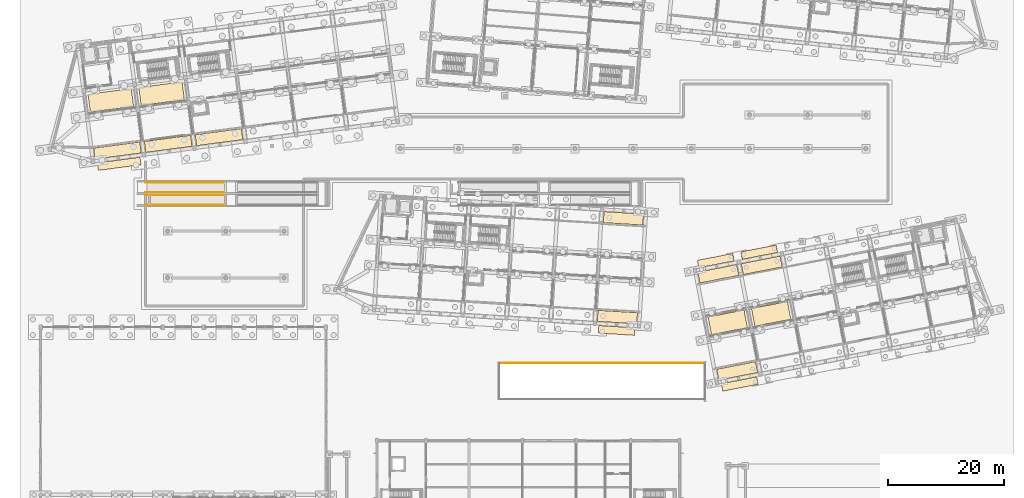
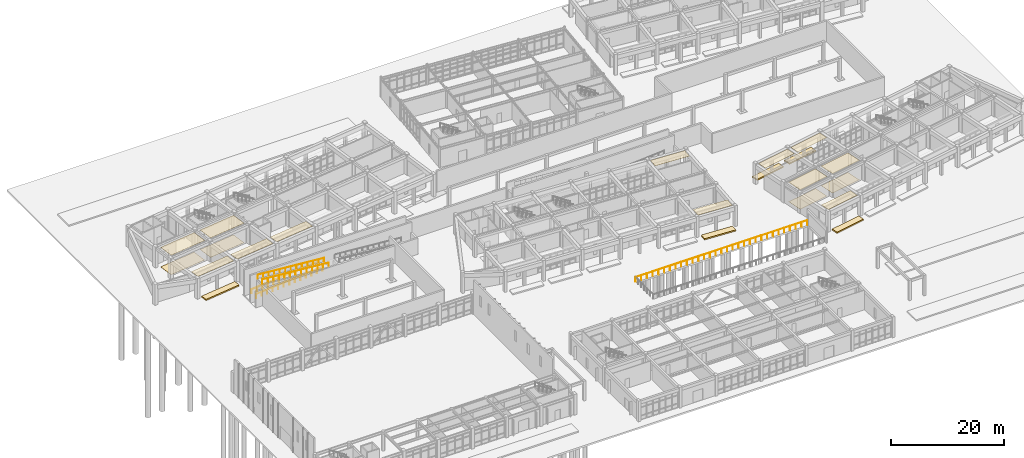
# One storey, part 145 of 154: 21 coverings, 5 railings.
"""IFC4 building model written with IfcOpenShell, lengths in metres."""

from ifc_helpers import new_model, si_unit, direction, frame, origin, origin_2d, place, context, subcontext, project, spatial, polyline, rectangle, circle, outline, extrude, material, layer, layer_set, type_object, element, save


model = new_model("IFC4")

# Units and contexts
model_context = context("Model", 3, precision=1e-05, world=origin(), true_north=direction((0.0, 1.0)))
body_context = subcontext(model_context, "Body", "Model", "MODEL_VIEW")
ifc_project = project(units=[si_unit("LENGTHUNIT", "METRE"), si_unit("AREAUNIT", "SQUARE_METRE"), si_unit("VOLUMEUNIT", "CUBIC_METRE"), si_unit("PLANEANGLEUNIT", "RADIAN"), si_unit("MASSUNIT", "GRAM", prefix="KILO")], contexts=[model_context])

# Site, building, storey
site_placement = place(None, origin())
site = spatial("IfcSite", under=ifc_project, at=site_placement, CompositionType="ELEMENT")
building_placement = place(site_placement, origin())
building = spatial("IfcBuilding", under=site, at=building_placement, Name="Kestramere Prow Commons", CompositionType="ELEMENT")
storey_placement = place(building_placement, origin())
storey = spatial("IfcBuildingStorey", under=building, at=storey_placement, Name="L00", CompositionType="ELEMENT", Elevation=0.0)

# Coverings
ifc_material_1 = material(Name="Mineral Fibre Acoustic Ceiling Tile")
ifc_layer_1 = layer(ifc_material_1, 0.02490234375)
ifc_layer_set_1 = layer_set([ifc_layer_1], Name="Mineral Fibre Acoustic Ceiling Tile")
covering_type_1 = type_object("IfcCoveringType", Name="COV-CEIL-ACOUSTIC", PredefinedType="CEILING", material=ifc_layer_set_1)
covering_1_placement = place(storey_placement, frame((0.0, 0.0, 4.22509765625)))
element("IfcCovering", 1, at=covering_1_placement, inside=storey, type_object=covering_type_1, Name="Block A L00 Corridor Acoustic Ceiling 1", PredefinedType="CEILING", context=body_context, shape_type="SweptSolid", body=[
    extrude(outline(polyline([(10.741455078125, 80.462646484375), (18.17724609375, 81.44140625), (17.772705078125, 84.514892578125), (10.3369140625, 83.5361328125), (10.741455078125, 80.462646484375)])), origin(), (0.0, 0.0, 1.0), 0.02490234375),
])
covering_2_placement = place(storey_placement, frame((0.0, 0.0, 4.22509765625)))
element("IfcCovering", 2, at=covering_2_placement, inside=storey, type_object=covering_type_1, Name="Block A L00 Corridor Acoustic Ceiling 2", PredefinedType="CEILING", context=body_context, shape_type="SweptSolid", body=[
    extrude(outline(polyline([(19.46630859375, 81.611083984375), (26.902099609375, 82.590087890625), (26.497314453125, 85.66357421875), (19.0615234375, 84.6845703125), (19.46630859375, 81.611083984375)])), origin(), (0.0, 0.0, 1.0), 0.02490234375),
])
covering_3_placement = place(storey_placement, frame((0.0, 0.0, 4.22509765625)))
element("IfcCovering", 3, at=covering_3_placement, inside=storey, type_object=covering_type_1, Name="Block D L00 Corridor Acoustic Ceiling 1", PredefinedType="CEILING", context=body_context, shape_type="SweptSolid", body=[
    extrude(outline(polyline([(117.4638671875, 42.222412109375), (123.648193359375, 43.424560546875), (123.056640625, 46.467529296875), (116.872314453125, 45.265380859375), (117.4638671875, 42.222412109375)])), origin(), (0.0, 0.0, 1.0), 0.02490234375),
])
covering_4_placement = place(storey_placement, frame((0.0, 0.0, 4.22509765625)))
element("IfcCovering", 4, at=covering_4_placement, inside=storey, type_object=covering_type_1, Name="Block D L00 Corridor Acoustic Ceiling 2", PredefinedType="CEILING", context=body_context, shape_type="SweptSolid", body=[
    extrude(outline(polyline([(124.92431640625, 43.672607421875), (131.1083984375, 44.874755859375), (130.51708984375, 47.917724609375), (124.332763671875, 46.715576171875), (124.92431640625, 43.672607421875)])), origin(), (0.0, 0.0, 1.0), 0.02490234375),
])
ifc_material_2 = material(Name="Honed Cementitious Terrazzo Tile")
ifc_layer_2 = layer(ifc_material_2, 0.02001953125)
ifc_layer_set_2 = layer_set([ifc_layer_2], Name="Honed Cementitious Terrazzo Tile")
covering_type_2 = type_object("IfcCoveringType", Name="COV-FLOOR-TERRAZZO", PredefinedType="FLOORING", material=ifc_layer_set_2)
covering_5_placement = place(storey_placement, origin())
element("IfcCovering", 5, at=covering_5_placement, inside=storey, type_object=covering_type_2, Name="Block A L00 Corridor Terrazzo Flooring 1", PredefinedType="FLOORING", context=body_context, shape_type="SweptSolid", body=[
    extrude(outline(polyline([(10.741455078125, 80.462646484375), (18.17724609375, 81.44140625), (17.772705078125, 84.514892578125), (10.3369140625, 83.5361328125), (10.741455078125, 80.462646484375)])), origin(), (0.0, 0.0, 1.0), 0.02001953125),
])
covering_6_placement = place(storey_placement, origin())
element("IfcCovering", 6, at=covering_6_placement, inside=storey, type_object=covering_type_2, Name="Block A L00 Corridor Terrazzo Flooring 2", PredefinedType="FLOORING", context=body_context, shape_type="SweptSolid", body=[
    extrude(outline(polyline([(19.46630859375, 81.611083984375), (26.902099609375, 82.590087890625), (26.497314453125, 85.66357421875), (19.0615234375, 84.6845703125), (19.46630859375, 81.611083984375)])), origin(), (0.0, 0.0, 1.0), 0.02001953125),
])
covering_7_placement = place(storey_placement, origin())
element("IfcCovering", 7, at=covering_7_placement, inside=storey, type_object=covering_type_2, Name="Block D L00 Corridor Terrazzo Flooring 1", PredefinedType="FLOORING", context=body_context, shape_type="SweptSolid", body=[
    extrude(outline(polyline([(117.4638671875, 42.222412109375), (123.648193359375, 43.424560546875), (123.056640625, 46.467529296875), (116.872314453125, 45.265380859375), (117.4638671875, 42.222412109375)])), origin(), (0.0, 0.0, 1.0), 0.02001953125),
])
covering_8_placement = place(storey_placement, origin())
element("IfcCovering", 8, at=covering_8_placement, inside=storey, type_object=covering_type_2, Name="Block D L00 Corridor Terrazzo Flooring 2", PredefinedType="FLOORING", context=body_context, shape_type="SweptSolid", body=[
    extrude(outline(polyline([(124.92431640625, 43.672607421875), (131.1083984375, 44.874755859375), (130.51708984375, 47.917724609375), (124.332763671875, 46.715576171875), (124.92431640625, 43.672607421875)])), origin(), (0.0, 0.0, 1.0), 0.02001953125),
])
ifc_material_3 = material(Name="Planted Tropical Rain-Garden Soil and Foliage")
ifc_layer_3 = layer(ifc_material_3, 0.280029296875)
ifc_layer_set_3 = layer_set([ifc_layer_3], Name="Planted Tropical Rain-Garden Soil and Foliage")
covering_type_3 = type_object("IfcCoveringType", Name="COV-PLANT-STRIP", PredefinedType="USERDEFINED", material=ifc_layer_set_3)
covering_9_placement = place(storey_placement, origin())
element("IfcCovering", 9, at=covering_9_placement, inside=storey, type_object=covering_type_3, Name="Street Setback Planted Landscape Strip PLST-A-S-0", ObjectType="PLANTED STRIP", PredefinedType="USERDEFINED", context=body_context, shape_type="SweptSolid", body=[
    extrude(outline(polyline([(11.939697265625, 71.744384765625), (19.2763671875, 72.710205078125), (19.446044921875, 71.42138671875), (12.109375, 70.45556640625), (11.939697265625, 71.744384765625)])), origin(), (0.0, 0.0, 1.0), 0.280029296875),
])
covering_10_placement = place(storey_placement, origin())
element("IfcCovering", 10, at=covering_10_placement, inside=storey, type_object=covering_type_3, Name="Street Setback Planted Landscape Strip PLST-C-S-5", ObjectType="PLANTED STRIP", PredefinedType="USERDEFINED", context=body_context, shape_type="SweptSolid", body=[
    extrude(outline(polyline([(98.1064453125, 43.7880859375), (104.294921875, 43.40966796875), (104.215576171875, 42.112060546875), (98.027099609375, 42.490478515625), (98.1064453125, 43.7880859375)])), origin(), (0.0, 0.0, 1.0), 0.280029296875),
])
covering_11_placement = place(storey_placement, origin())
element("IfcCovering", 11, at=covering_11_placement, inside=storey, type_object=covering_type_3, Name="Street Setback Planted Landscape Strip PLST-D-S-0", ObjectType="PLANTED STRIP", PredefinedType="USERDEFINED", context=body_context, shape_type="SweptSolid", body=[
    extrude(outline(polyline([(119.15380859375, 33.7900390625), (125.239990234375, 34.972900390625), (125.488037109375, 33.697021484375), (119.402099609375, 32.513916015625), (119.15380859375, 33.7900390625)])), origin(), (0.0, 0.0, 1.0), 0.280029296875),
])
covering_12_placement = place(storey_placement, origin())
element("IfcCovering", 12, at=covering_12_placement, inside=storey, type_object=covering_type_3, Name="Street Setback Planted Landscape Strip PLST-D-N-0", ObjectType="PLANTED STRIP", PredefinedType="USERDEFINED", context=body_context, shape_type="SweptSolid", body=[
    extrude(outline(polyline([(115.032470703125, 54.9931640625), (121.118408203125, 56.17626953125), (121.36669921875, 54.89990234375), (115.280517578125, 53.717041015625), (115.032470703125, 54.9931640625)])), origin(), (0.0, 0.0, 1.0), 0.280029296875),
])
covering_13_placement = place(storey_placement, origin())
element("IfcCovering", 13, at=covering_13_placement, inside=storey, type_object=covering_type_3, Name="Street Setback Planted Landscape Strip PLST-D-N-1", ObjectType="PLANTED STRIP", PredefinedType="USERDEFINED", context=body_context, shape_type="SweptSolid", body=[
    extrude(outline(polyline([(122.492919921875, 56.443359375), (128.578857421875, 57.626220703125), (128.826904296875, 56.35009765625), (122.740966796875, 55.167236328125), (122.492919921875, 56.443359375)])), origin(), (0.0, 0.0, 1.0), 0.280029296875),
])
ifc_material_4 = material(Name="Perforated Aluminium Colonnade Soffit Cladding", Category="aluminium")
ifc_layer_4 = layer(ifc_material_4, 0.030029296875)
ifc_layer_set_4 = layer_set([ifc_layer_4], Name="Perforated Aluminium Colonnade Soffit Cladding")
covering_type_4 = type_object("IfcCoveringType", Name="COV-SOFFIT-ALU", PredefinedType="CLADDING", material=ifc_layer_set_4)
for number, where, z_axis, x_axis, name in (
    (14, (15.392578125, 73.86328125, 4.22021484375), (0.0, 0.0, 1.0), (0.991444861374, 0.13052619222, 0.0), "Block A South Colonnade Soffit Panel 1"),
    (15, (24.117431640625, 75.01171875, 4.22021484375), (0.0, 0.0, 1.0), (0.991444861374, 0.13052619222, 0.0), "Block A South Colonnade Soffit Panel 2"),
    (16, (32.842041015625, 76.160400390625, 4.22021484375), (0.0, 0.0, 1.0), (0.991444861374, 0.13052619222, 0.0), "Block A South Colonnade Soffit Panel 3"),
):
    element("IfcCovering", number, at=place(storey_placement, frame(where, z_axis=z_axis, x_axis=x_axis)), inside=storey, type_object=covering_type_4, Name=name, PredefinedType="CLADDING", context=body_context, shape_type="SweptSolid", body=[
        extrude(rectangle(XDim=8.0, YDim=1.89990234375, at=origin_2d()), origin(), (0.0, 0.0, 1.0), 0.030029296875),
    ])
for number, where, z_axis, x_axis, name in (
    (17, (101.301513671875, 45.245849609375, 4.22021484375), (0.0, 0.0, 1.0), (0.998134798422, -0.061048539535, 0.0), "Block C South Colonnade Soffit Panel 6"),
    (18, (102.339111328125, 62.214111328125, 4.22021484375), (0.0, 0.0, 1.0), (0.998134798422, -0.061048539535, 0.0), "Block C North Colonnade Soffit Panel 6"),
    (19, (121.882080078125, 36.001220703125, 4.22021484375), (0.0, 0.0, 1.0), (0.981627183448, 0.190808995377, 0.0), "Block D South Colonnade Soffit Panel 1"),
    (20, (118.638427734375, 52.68896484375, 4.22021484375), (0.0, 0.0, 1.0), (0.981627183448, 0.190808995377, 0.0), "Block D North Colonnade Soffit Panel 1"),
    (21, (126.0986328125, 54.138916015625, 4.22021484375), (0.0, 0.0, 1.0), (0.981627183448, 0.190808995377, 0.0), "Block D North Colonnade Soffit Panel 2"),
):
    element("IfcCovering", number, at=place(storey_placement, frame(where, z_axis=z_axis, x_axis=x_axis)), inside=storey, type_object=covering_type_4, Name=name, PredefinedType="CLADDING", context=body_context, shape_type="SweptSolid", body=[
        extrude(rectangle(XDim=6.800048828125, YDim=1.89990234375, at=origin_2d()), origin(), (0.0, 0.0, 1.0), 0.030029296875),
    ])

# Railings
ifc_material_5 = material(Name="Powder-Coated Aluminium 6063-T6", Category="aluminium")
railing_type_1 = type_object("IfcRailingType", Name="GRD-BALC-1100", PredefinedType="BALUSTRADE", material=ifc_material_5)
railing_1_placement = place(storey_placement, frame((80.949951171875, 37.360107421875, 0.0)))
element("IfcRailing", 22, at=railing_1_placement, inside=storey, type_object=railing_type_1, Name="Car Park Ramp Void North Guardrail", PredefinedType="BALUSTRADE", context=body_context, shape_type="SweptSolid", body=[
    extrude(circle(Radius=0.02392578125, at=origin_2d()), frame((0.0, 0.0, 1.076171875), z_axis=(1.0, 0.0, 0.0), x_axis=(0.0, 1.0, 0.0)), (0.0, 0.0, 1.0), 35.150146484375),
    extrude(circle(Radius=0.02099609375, at=origin_2d()), origin(), (0.0, 0.0, 1.0), 1.052001953125),
    extrude(circle(Radius=0.02099609375, at=origin_2d()), frame((1.171630859375, 0.0, 0.0)), (0.0, 0.0, 1.0), 1.052001953125),
    extrude(circle(Radius=0.02099609375, at=origin_2d()), frame((2.34326171875, 0.0, 0.0)), (0.0, 0.0, 1.0), 1.052001953125),
    extrude(circle(Radius=0.02099609375, at=origin_2d()), frame((3.51513671875, 0.0, 0.0)), (0.0, 0.0, 1.0), 1.052001953125),
    extrude(circle(Radius=0.02099609375, at=origin_2d()), frame((4.686767578125, 0.0, 0.0)), (0.0, 0.0, 1.0), 1.052001953125),
    extrude(circle(Radius=0.02099609375, at=origin_2d()), frame((5.8583984375, 0.0, 0.0)), (0.0, 0.0, 1.0), 1.052001953125),
    extrude(circle(Radius=0.02099609375, at=origin_2d()), frame((7.030029296875, 0.0, 0.0)), (0.0, 0.0, 1.0), 1.052001953125),
    extrude(circle(Radius=0.02099609375, at=origin_2d()), frame((8.20166015625, 0.0, 0.0)), (0.0, 0.0, 1.0), 1.052001953125),
    extrude(circle(Radius=0.02099609375, at=origin_2d()), frame((9.373291015625, 0.0, 0.0)), (0.0, 0.0, 1.0), 1.052001953125),
    extrude(circle(Radius=0.02099609375, at=origin_2d()), frame((10.544921875, 0.0, 0.0)), (0.0, 0.0, 1.0), 1.052001953125),
    extrude(circle(Radius=0.02099609375, at=origin_2d()), frame((11.716796875, 0.0, 0.0)), (0.0, 0.0, 1.0), 1.052001953125),
    extrude(circle(Radius=0.02099609375, at=origin_2d()), frame((12.888427734375, 0.0, 0.0)), (0.0, 0.0, 1.0), 1.052001953125),
    extrude(circle(Radius=0.02099609375, at=origin_2d()), frame((14.06005859375, 0.0, 0.0)), (0.0, 0.0, 1.0), 1.052001953125),
    extrude(circle(Radius=0.02099609375, at=origin_2d()), frame((15.231689453125, 0.0, 0.0)), (0.0, 0.0, 1.0), 1.052001953125),
    extrude(circle(Radius=0.02099609375, at=origin_2d()), frame((16.4033203125, 0.0, 0.0)), (0.0, 0.0, 1.0), 1.052001953125),
    extrude(circle(Radius=0.02099609375, at=origin_2d()), frame((17.5751953125, 0.0, 0.0)), (0.0, 0.0, 1.0), 1.052001953125),
    extrude(circle(Radius=0.02099609375, at=origin_2d()), frame((18.746826171875, 0.0, 0.0)), (0.0, 0.0, 1.0), 1.052001953125),
    extrude(circle(Radius=0.02099609375, at=origin_2d()), frame((19.91845703125, 0.0, 0.0)), (0.0, 0.0, 1.0), 1.052001953125),
    extrude(circle(Radius=0.02099609375, at=origin_2d()), frame((21.090087890625, 0.0, 0.0)), (0.0, 0.0, 1.0), 1.052001953125),
    extrude(circle(Radius=0.02099609375, at=origin_2d()), frame((22.26171875, 0.0, 0.0)), (0.0, 0.0, 1.0), 1.052001953125),
    extrude(circle(Radius=0.02099609375, at=origin_2d()), frame((23.433349609375, 0.0, 0.0)), (0.0, 0.0, 1.0), 1.052001953125),
    extrude(circle(Radius=0.02099609375, at=origin_2d()), frame((24.60498046875, 0.0, 0.0)), (0.0, 0.0, 1.0), 1.052001953125),
    extrude(circle(Radius=0.02099609375, at=origin_2d()), frame((25.77685546875, 0.0, 0.0)), (0.0, 0.0, 1.0), 1.052001953125),
    extrude(circle(Radius=0.02099609375, at=origin_2d()), frame((26.948486328125, 0.0, 0.0)), (0.0, 0.0, 1.0), 1.052001953125),
    extrude(circle(Radius=0.02099609375, at=origin_2d()), frame((28.1201171875, 0.0, 0.0)), (0.0, 0.0, 1.0), 1.052001953125),
    extrude(circle(Radius=0.02099609375, at=origin_2d()), frame((29.291748046875, 0.0, 0.0)), (0.0, 0.0, 1.0), 1.052001953125),
    extrude(circle(Radius=0.02099609375, at=origin_2d()), frame((30.46337890625, 0.0, 0.0)), (0.0, 0.0, 1.0), 1.052001953125),
    extrude(circle(Radius=0.02099609375, at=origin_2d()), frame((31.63525390625, 0.0, 0.0)), (0.0, 0.0, 1.0), 1.052001953125),
    extrude(circle(Radius=0.02099609375, at=origin_2d()), frame((32.806884765625, 0.0, 0.0)), (0.0, 0.0, 1.0), 1.052001953125),
    extrude(circle(Radius=0.02099609375, at=origin_2d()), frame((33.978515625, 0.0, 0.0)), (0.0, 0.0, 1.0), 1.052001953125),
    extrude(circle(Radius=0.02099609375, at=origin_2d()), frame((35.150146484375, 0.0, 0.0)), (0.0, 0.0, 1.0), 1.052001953125),
])
ifc_material_6 = material(Name="Stainless Steel Grade 316", Category="steel")
railing_type_2 = type_object("IfcRailingType", Name="HR-EXT-900", PredefinedType="HANDRAIL", material=ifc_material_6)
railing_2_placement = place(storey_placement, frame((20.199951171875, 66.7099609375, 0.0)))
element("IfcRailing", 23, at=railing_2_placement, inside=storey, type_object=railing_type_2, Name="Ramp R2 Lower Handrail L", PredefinedType="HANDRAIL", context=body_context, shape_type="SweptSolid", body=[
    extrude(circle(Radius=0.02392578125, at=origin_2d()), frame((0.0, 0.0, 0.8759765625), z_axis=(0.99659615968, 0.0, 0.082438428604), x_axis=(0.0, 1.0, 0.0)), (0.0, 0.0, 1.0), 13.646484375),
    extrude(circle(Radius=0.02099609375, at=origin_2d()), origin(), (0.0, 0.0, 1.0), 0.851806640625),
    extrude(circle(Radius=0.02099609375, at=origin_2d()), frame((1.13330078125, 0.0, 0.09375)), (0.0, 0.0, 1.0), 0.851806640625),
    extrude(circle(Radius=0.02099609375, at=origin_2d()), frame((2.2666015625, 0.0, 0.1875)), (0.0, 0.0, 1.0), 0.851806640625),
    extrude(circle(Radius=0.02099609375, at=origin_2d()), frame((3.39990234375, 0.0, 0.28125)), (0.0, 0.0, 1.0), 0.851806640625),
    extrude(circle(Radius=0.02099609375, at=origin_2d()), frame((4.533447265625, 0.0, 0.375)), (0.0, 0.0, 1.0), 0.851806640625),
    extrude(circle(Radius=0.02099609375, at=origin_2d()), frame((5.666748046875, 0.0, 0.46875)), (0.0, 0.0, 1.0), 0.851806640625),
    extrude(circle(Radius=0.02099609375, at=origin_2d()), frame((6.800048828125, 0.0, 0.5625)), (0.0, 0.0, 1.0), 0.851806640625),
    extrude(circle(Radius=0.02099609375, at=origin_2d()), frame((7.933349609375, 0.0, 0.65625)), (0.0, 0.0, 1.0), 0.851806640625),
    extrude(circle(Radius=0.02099609375, at=origin_2d()), frame((9.066650390625, 0.0, 0.75)), (0.0, 0.0, 1.0), 0.851806640625),
    extrude(circle(Radius=0.02099609375, at=origin_2d()), frame((10.2001953125, 0.0, 0.84375)), (0.0, 0.0, 1.0), 0.851806640625),
    extrude(circle(Radius=0.02099609375, at=origin_2d()), frame((11.33349609375, 0.0, 0.9375)), (0.0, 0.0, 1.0), 0.851806640625),
    extrude(circle(Radius=0.02099609375, at=origin_2d()), frame((12.466796875, 0.0, 1.03125)), (0.0, 0.0, 1.0), 0.851806640625),
    extrude(circle(Radius=0.02099609375, at=origin_2d()), frame((13.60009765625, 0.0, 1.125)), (0.0, 0.0, 1.0), 0.851806640625),
])
railing_3_placement = place(storey_placement, frame((33.800048828125, 64.510009765625, 3.375)))
element("IfcRailing", 24, at=railing_3_placement, inside=storey, type_object=railing_type_2, Name="Ramp R3 Upper Handrail L", PredefinedType="HANDRAIL", context=body_context, shape_type="SweptSolid", body=[
    extrude(circle(Radius=0.02392578125, at=origin_2d()), frame((0.0, 0.0, 0.8759765625), z_axis=(-0.99659615968, 0.0, 0.082438428604), x_axis=(0.0, -1.0, 0.0)), (0.0, 0.0, 1.0), 13.646484375),
    extrude(circle(Radius=0.02099609375, at=origin_2d()), origin(), (0.0, 0.0, 1.0), 0.851806640625),
    extrude(circle(Radius=0.02099609375, at=origin_2d()), frame((-1.13330078125, 0.0, 0.09375)), (0.0, 0.0, 1.0), 0.851806640625),
    extrude(circle(Radius=0.02099609375, at=origin_2d()), frame((-2.2666015625, 0.0, 0.1875)), (0.0, 0.0, 1.0), 0.851806640625),
    extrude(circle(Radius=0.02099609375, at=origin_2d()), frame((-3.39990234375, 0.0, 0.28125)), (0.0, 0.0, 1.0), 0.851806640625),
    extrude(circle(Radius=0.02099609375, at=origin_2d()), frame((-4.533447265625, 0.0, 0.375)), (0.0, 0.0, 1.0), 0.851806640625),
    extrude(circle(Radius=0.02099609375, at=origin_2d()), frame((-5.666748046875, 0.0, 0.46875)), (0.0, 0.0, 1.0), 0.851806640625),
    extrude(circle(Radius=0.02099609375, at=origin_2d()), frame((-6.800048828125, 0.0, 0.5625)), (0.0, 0.0, 1.0), 0.851806640625),
    extrude(circle(Radius=0.02099609375, at=origin_2d()), frame((-7.933349609375, 0.0, 0.65625)), (0.0, 0.0, 1.0), 0.851806640625),
    extrude(circle(Radius=0.02099609375, at=origin_2d()), frame((-9.066650390625, 0.0, 0.75)), (0.0, 0.0, 1.0), 0.851806640625),
    extrude(circle(Radius=0.02099609375, at=origin_2d()), frame((-10.2001953125, 0.0, 0.84375)), (0.0, 0.0, 1.0), 0.851806640625),
    extrude(circle(Radius=0.02099609375, at=origin_2d()), frame((-11.33349609375, 0.0, 0.9375)), (0.0, 0.0, 1.0), 0.851806640625),
    extrude(circle(Radius=0.02099609375, at=origin_2d()), frame((-12.466796875, 0.0, 1.03125)), (0.0, 0.0, 1.0), 0.851806640625),
    extrude(circle(Radius=0.02099609375, at=origin_2d()), frame((-13.60009765625, 0.0, 1.125)), (0.0, 0.0, 1.0), 0.851806640625),
])
railing_4_placement = place(storey_placement, frame((20.199951171875, 68.389892578125, 0.0)))
element("IfcRailing", 25, at=railing_4_placement, inside=storey, type_object=railing_type_2, Name="Ramp R2 Lower Handrail R", PredefinedType="HANDRAIL", context=body_context, shape_type="SweptSolid", body=[
    extrude(circle(Radius=0.02392578125, at=origin_2d()), frame((0.0, 0.0, 0.8759765625), z_axis=(0.99659615968, 0.0, 0.082438428604), x_axis=(0.0, 1.0, 0.0)), (0.0, 0.0, 1.0), 13.646484375),
    extrude(circle(Radius=0.02099609375, at=origin_2d()), origin(), (0.0, 0.0, 1.0), 0.851806640625),
    extrude(circle(Radius=0.02099609375, at=origin_2d()), frame((1.13330078125, 0.0, 0.09375)), (0.0, 0.0, 1.0), 0.851806640625),
    extrude(circle(Radius=0.02099609375, at=origin_2d()), frame((2.2666015625, 0.0, 0.1875)), (0.0, 0.0, 1.0), 0.851806640625),
    extrude(circle(Radius=0.02099609375, at=origin_2d()), frame((3.39990234375, 0.0, 0.28125)), (0.0, 0.0, 1.0), 0.851806640625),
    extrude(circle(Radius=0.02099609375, at=origin_2d()), frame((4.533447265625, 0.0, 0.375)), (0.0, 0.0, 1.0), 0.851806640625),
    extrude(circle(Radius=0.02099609375, at=origin_2d()), frame((5.666748046875, 0.0, 0.46875)), (0.0, 0.0, 1.0), 0.851806640625),
    extrude(circle(Radius=0.02099609375, at=origin_2d()), frame((6.800048828125, 0.0, 0.5625)), (0.0, 0.0, 1.0), 0.851806640625),
    extrude(circle(Radius=0.02099609375, at=origin_2d()), frame((7.933349609375, 0.0, 0.65625)), (0.0, 0.0, 1.0), 0.851806640625),
    extrude(circle(Radius=0.02099609375, at=origin_2d()), frame((9.066650390625, 0.0, 0.75)), (0.0, 0.0, 1.0), 0.851806640625),
    extrude(circle(Radius=0.02099609375, at=origin_2d()), frame((10.2001953125, 0.0, 0.84375)), (0.0, 0.0, 1.0), 0.851806640625),
    extrude(circle(Radius=0.02099609375, at=origin_2d()), frame((11.33349609375, 0.0, 0.9375)), (0.0, 0.0, 1.0), 0.851806640625),
    extrude(circle(Radius=0.02099609375, at=origin_2d()), frame((12.466796875, 0.0, 1.03125)), (0.0, 0.0, 1.0), 0.851806640625),
    extrude(circle(Radius=0.02099609375, at=origin_2d()), frame((13.60009765625, 0.0, 1.125)), (0.0, 0.0, 1.0), 0.851806640625),
])
railing_5_placement = place(storey_placement, frame((33.800048828125, 66.18994140625, 3.375)))
element("IfcRailing", 26, at=railing_5_placement, inside=storey, type_object=railing_type_2, Name="Ramp R3 Upper Handrail R", PredefinedType="HANDRAIL", context=body_context, shape_type="SweptSolid", body=[
    extrude(circle(Radius=0.02392578125, at=origin_2d()), frame((0.0, 0.0, 0.8759765625), z_axis=(-0.99659615968, 0.0, 0.082438428604), x_axis=(0.0, -1.0, 0.0)), (0.0, 0.0, 1.0), 13.646484375),
    extrude(circle(Radius=0.02099609375, at=origin_2d()), origin(), (0.0, 0.0, 1.0), 0.851806640625),
    extrude(circle(Radius=0.02099609375, at=origin_2d()), frame((-1.13330078125, 0.0, 0.09375)), (0.0, 0.0, 1.0), 0.851806640625),
    extrude(circle(Radius=0.02099609375, at=origin_2d()), frame((-2.2666015625, 0.0, 0.1875)), (0.0, 0.0, 1.0), 0.851806640625),
    extrude(circle(Radius=0.02099609375, at=origin_2d()), frame((-3.39990234375, 0.0, 0.28125)), (0.0, 0.0, 1.0), 0.851806640625),
    extrude(circle(Radius=0.02099609375, at=origin_2d()), frame((-4.533447265625, 0.0, 0.375)), (0.0, 0.0, 1.0), 0.851806640625),
    extrude(circle(Radius=0.02099609375, at=origin_2d()), frame((-5.666748046875, 0.0, 0.46875)), (0.0, 0.0, 1.0), 0.851806640625),
    extrude(circle(Radius=0.02099609375, at=origin_2d()), frame((-6.800048828125, 0.0, 0.5625)), (0.0, 0.0, 1.0), 0.851806640625),
    extrude(circle(Radius=0.02099609375, at=origin_2d()), frame((-7.933349609375, 0.0, 0.65625)), (0.0, 0.0, 1.0), 0.851806640625),
    extrude(circle(Radius=0.02099609375, at=origin_2d()), frame((-9.066650390625, 0.0, 0.75)), (0.0, 0.0, 1.0), 0.851806640625),
    extrude(circle(Radius=0.02099609375, at=origin_2d()), frame((-10.2001953125, 0.0, 0.84375)), (0.0, 0.0, 1.0), 0.851806640625),
    extrude(circle(Radius=0.02099609375, at=origin_2d()), frame((-11.33349609375, 0.0, 0.9375)), (0.0, 0.0, 1.0), 0.851806640625),
    extrude(circle(Radius=0.02099609375, at=origin_2d()), frame((-12.466796875, 0.0, 1.03125)), (0.0, 0.0, 1.0), 0.851806640625),
    extrude(circle(Radius=0.02099609375, at=origin_2d()), frame((-13.60009765625, 0.0, 1.125)), (0.0, 0.0, 1.0), 0.851806640625),
])

save(model, "model.ifc")
